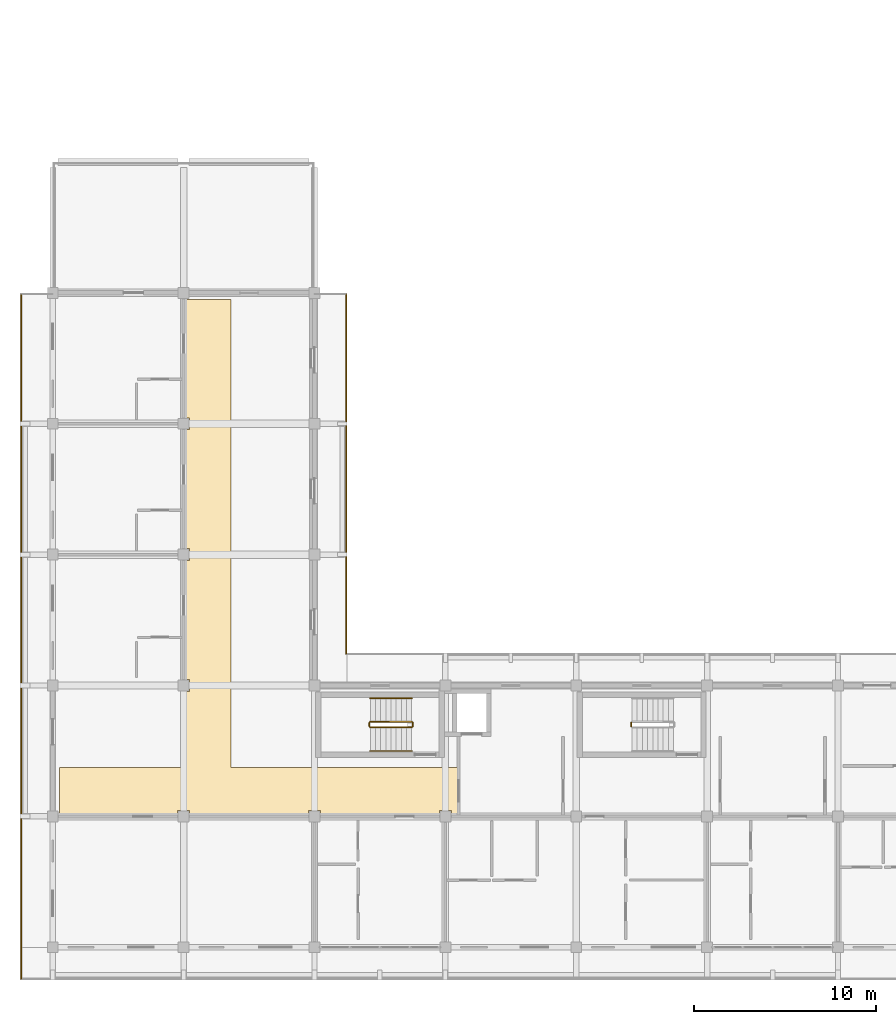
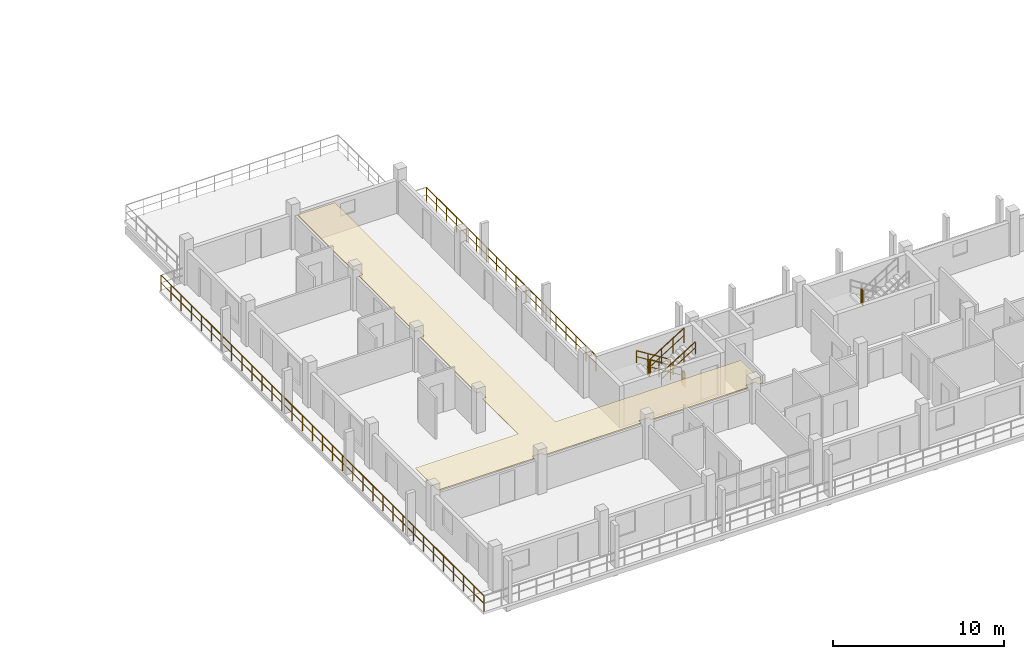
# One storey, part 64 of 78: 9 railings, 1 covering.
"""IFC4 building model written with IfcOpenShell, lengths in metres."""

import ifcopenshell
import ifcopenshell.guid

model = None  # the IFC model being written
_history = None  # IfcOwnerHistory: only IFC2X3 demands one
_inside = {}  # id of a spatial element -> (the spatial element, [elements in it])
_under = {}  # id of a project, library or spatial element -> (it, [spatial elements below it])
_declared = {}  # id of a project -> (the project, [libraries it declares])
_typed = {}  # id of a type object -> (the type object, [elements of that type])
_made_of = {}  # id of a material, layer set ... -> (it, [elements and type objects made of it])


def new_model(schema):
    """Start an empty IFC model of exactly this schema.

    Asked for "IFC4X3", IfcOpenShell would pick the latest addendum, in which some entities
    have other attributes; the version numbers below select the first issue.
    IFC2X3 requires an IfcOwnerHistory on every rooted entity: one is made here for all.
    """
    global model, _history
    if schema == "IFC4X3":
        model = ifcopenshell.file(schema_version=(4, 3, 0, 0))
    else:
        model = ifcopenshell.file(schema=schema)
    _inside.clear()
    _under.clear()
    _declared.clear()
    _typed.clear()
    _made_of.clear()
    _history = None
    if model.schema == "IFC2X3":
        org = make("IfcOrganization", Name="unknown")
        user = make(
            "IfcPersonAndOrganization",
            ThePerson=make("IfcPerson", FamilyName="unknown"),
            TheOrganization=org,
        )
        app = make(
            "IfcApplication",
            ApplicationDeveloper=org,
            Version="unknown",
            ApplicationFullName="unknown",
            ApplicationIdentifier="unknown",
        )
        _history = make(
            "IfcOwnerHistory",
            OwningUser=user,
            OwningApplication=app,
            ChangeAction="ADDED",
            CreationDate=0,
        )
    return model


def make(cls, **values):
    """One entity of the class cls with the attributes given. An attribute that is None is left unset."""
    return model.create_entity(
        cls, **{name: value for name, value in values.items() if value is not None}
    )


def rooted(cls, **values):
    """An entity with a GlobalId (a new one), such as an element, a storey or a relation."""
    return make(cls, GlobalId=ifcopenshell.guid.new(), OwnerHistory=_history, **values)


def si_unit(unit_type, name, prefix=None):
    """IfcSIUnit, for example si_unit("LENGTHUNIT", "METRE", prefix="MILLI")."""
    return make("IfcSIUnit", UnitType=unit_type, Prefix=prefix, Name=name)


def assignment(units):
    """IfcUnitAssignment: the units of a project."""
    return None if units is None else make("IfcUnitAssignment", Units=units)


def point(xyz):
    """IfcCartesianPoint."""
    return None if xyz is None else make("IfcCartesianPoint", Coordinates=xyz)


def direction(xyz):
    """IfcDirection."""
    return None if xyz is None else make("IfcDirection", DirectionRatios=xyz)


def frame(location, z_axis=None, x_axis=None):
    """IfcAxis2Placement3D, a coordinate frame: its origin and axes. An axis left out is left unset."""
    return make(
        "IfcAxis2Placement3D",
        Location=point(location),
        Axis=direction(z_axis),
        RefDirection=direction(x_axis),
    )


def frame_2d(location, x_axis=None):
    """IfcAxis2Placement2D, a coordinate frame in the plane: its origin and x axis."""
    return make(
        "IfcAxis2Placement2D", Location=point(location), RefDirection=direction(x_axis)
    )


def origin():
    """The frame at (0, 0, 0) with its axes left unset."""
    return frame((0.0, 0.0, 0.0))


def origin_2d():
    """The frame at (0, 0) in the plane with its x axis left unset."""
    return frame_2d((0.0, 0.0))


def place(relative_to, where):
    """IfcLocalPlacement: puts the frame where relative to a parent placement (None: the world)."""
    return make(
        "IfcLocalPlacement", PlacementRelTo=relative_to, RelativePlacement=where
    )


def context(
    kind, dimensions, precision=None, world=None, true_north=None, identifier=None
):
    """IfcGeometricRepresentationContext, for example the 3D "Model" context."""
    return make(
        "IfcGeometricRepresentationContext",
        ContextIdentifier=identifier,
        ContextType=kind,
        CoordinateSpaceDimension=dimensions,
        Precision=precision,
        WorldCoordinateSystem=world,
        TrueNorth=true_north,
    )


def subcontext(parent, identifier, kind, view, scale=None):
    """IfcGeometricRepresentationSubContext, for example "Body" below "Model"."""
    return make(
        "IfcGeometricRepresentationSubContext",
        ContextIdentifier=identifier,
        ContextType=kind,
        ParentContext=parent,
        TargetScale=scale,
        TargetView=view,
    )


def project(units=None, contexts=None):
    """IfcProject with its units and contexts."""
    return rooted(
        "IfcProject",
        Name="project",
        RepresentationContexts=contexts,
        UnitsInContext=assignment(units),
    )


def spatial(cls, under=None, at=None, **own):
    """A site, building, storey or space (cls), placed at a placement, below another one or the project."""
    s = rooted(cls, ObjectPlacement=at, **own)
    if under is not None:
        _under.setdefault(under.id(), (under, []))[1].append(s)
    return s


def polyline(points):
    """IfcPolyline through the points."""
    return make("IfcPolyline", Points=[point(p) for p in points])


def profile(cls, at=None, kind="AREA", **sizes):
    """A parametric profile (cls). Its sizes go by their IFC names, for example OverallWidth=200.0."""
    return make(cls, ProfileType=kind, Position=at, **sizes)


def rectangle(**sizes):
    """IfcRectangleProfileDef."""
    return profile("IfcRectangleProfileDef", **sizes)


def outline(outer, holes=None, kind="AREA"):
    """IfcArbitraryClosedProfileDef: a profile drawn as a closed curve; with holes, ...WithVoids."""
    if holes is None:
        return make("IfcArbitraryClosedProfileDef", ProfileType=kind, OuterCurve=outer)
    return make(
        "IfcArbitraryProfileDefWithVoids",
        ProfileType=kind,
        OuterCurve=outer,
        InnerCurves=holes,
    )


def extrude(swept, where, along, depth):
    """IfcExtrudedAreaSolid: the profile swept, set in the frame where, extruded along a direction by depth."""
    return make(
        "IfcExtrudedAreaSolid",
        SweptArea=swept,
        Position=where,
        ExtrudedDirection=direction(along),
        Depth=depth,
    )


def shape(context_of_items, identifier, shape_type, items):
    """IfcShapeRepresentation: the items that make up one representation, for example the "Body"."""
    return make(
        "IfcShapeRepresentation",
        ContextOfItems=context_of_items,
        RepresentationIdentifier=identifier,
        RepresentationType=shape_type,
        Items=items,
    )


def material(Name=None, Category=None):
    """IfcMaterial."""
    return make("IfcMaterial", Name=Name, Category=Category)


def layer(
    of_material, thickness, ventilated=None, Name=None, Category=None, Priority=None
):
    """IfcMaterialLayer: one layer of a wall or slab, of a material (None: an air gap)."""
    return make(
        "IfcMaterialLayer",
        Material=of_material,
        LayerThickness=thickness,
        IsVentilated=ventilated,
        Name=Name,
        Category=Category,
        Priority=Priority,
    )


def layer_set(layers, Name=None):
    """IfcMaterialLayerSet."""
    return make("IfcMaterialLayerSet", MaterialLayers=layers, LayerSetName=Name)


def made_of(thing, what):
    """Note that an element or type object is made of a material, layer set ...; save() writes the relation."""
    if what is not None:
        _made_of.setdefault(what.id(), (what, []))[1].append(thing)
    return thing


def type_object(cls, material=None, **own):
    """A type object (cls), such as IfcWallType, which elements share."""
    return made_of(rooted(cls, **own), material)


def element(
    cls,
    number,
    at=None,
    inside=None,
    cuts=None,
    type_object=None,
    material=None,
    context=None,
    identifier="Body",
    shape_type=None,
    held_by="IfcProductDefinitionShape",
    body=None,
    shapes=None,
    **own,
):
    """One element of the class cls, such as IfcWall. Its Tag is "e" and its number.

    at: its placement. inside: the storey or other place that contains it. cuts: it is an
    opening in that element (IfcRelVoidsElement). A single representation is given by context,
    identifier, shape_type and body (its items); several are given by shapes. held_by: the class
    of the entity that holds the representations. save() writes the other relations.
    """
    e = rooted(cls, Tag="e%d" % number, ObjectPlacement=at, **own)
    if body is not None:
        shapes = [shape(context, identifier, shape_type, body)]
    if shapes is not None:
        e.Representation = make(held_by, Representations=shapes)
    if inside is not None:
        _inside.setdefault(inside.id(), (inside, []))[1].append(e)
    if cuts is not None:
        rooted(
            "IfcRelVoidsElement", RelatingBuildingElement=cuts, RelatedOpeningElement=e
        )
    if type_object is not None:
        _typed.setdefault(type_object.id(), (type_object, []))[1].append(e)
    return made_of(e, material)


def aggregate(whole, parts):
    """IfcRelAggregates: a whole, such as a stair, and the parts it consists of."""
    return rooted("IfcRelAggregates", RelatingObject=whole, RelatedObjects=parts)


def save(model, path):
    """Write the relations noted so far, then the file.

    IfcRelAggregates (storeys below a building ...), IfcRelContainedInSpatialStructure (elements
    in a storey), IfcRelDefinesByType, IfcRelAssociatesMaterial and IfcRelDeclares: one each for
    every whole, place, type object, material and project.
    """
    for whole, parts in _under.values():
        aggregate(whole, parts)
    for where, things in _inside.values():
        rooted(
            "IfcRelContainedInSpatialStructure",
            RelatedElements=things,
            RelatingStructure=where,
        )
    for kind, things in _typed.values():
        rooted("IfcRelDefinesByType", RelatedObjects=things, RelatingType=kind)
    for what, things in _made_of.values():
        rooted("IfcRelAssociatesMaterial", RelatedObjects=things, RelatingMaterial=what)
    for by, libraries in _declared.values():
        rooted("IfcRelDeclares", RelatingContext=by, RelatedDefinitions=libraries)
    model.write(path)


model = new_model("IFC4")

# Units and contexts
model_context = context("Model", 3, precision=1e-05, world=origin(), true_north=direction((0.0, 1.0)))
body_context = subcontext(model_context, "Body", "Model", "MODEL_VIEW")
ifc_project = project(units=[si_unit("LENGTHUNIT", "METRE"), si_unit("AREAUNIT", "SQUARE_METRE"), si_unit("VOLUMEUNIT", "CUBIC_METRE"), si_unit("PLANEANGLEUNIT", "RADIAN"), si_unit("MASSUNIT", "GRAM", prefix="KILO")], contexts=[model_context])

# Site, building, storey
site_placement = place(None, origin())
site = spatial("IfcSite", under=ifc_project, at=site_placement, CompositionType="ELEMENT")
building_placement = place(site_placement, origin())
building = spatial("IfcBuilding", under=site, at=building_placement, Name="Suanplinth Sawtooth Commons", CompositionType="ELEMENT")
storey_placement = place(building_placement, frame((0.0, 0.0, 15.39990234375)))
storey = spatial("IfcBuildingStorey", under=building, at=storey_placement, Name="L04", CompositionType="ELEMENT", Elevation=15.39990234375)

# Covering
ifc_material_1 = material(Name="Mineral fibre acoustic tile")
ifc_layer = layer(ifc_material_1, 0.0400390625, Name="Perforated mineral-fibre acoustic suspended ceiling")
ifc_layer_set = layer_set([ifc_layer], Name="Mineral fibre acoustic tile")
covering_type = type_object("IfcCoveringType", Name="CV-CE01", PredefinedType="CEILING", material=ifc_layer_set)
covering_placement = place(storey_placement, frame((0.0, 0.0, 2.380126953125)))
element("IfcCovering", 1, at=covering_placement, inside=storey, type_object=covering_type, Name="L04 Block D Corridor Acoustic Ceiling", PredefinedType="CEILING", context=body_context, shape_type="SweptSolid", body=[
    extrude(outline(polyline([(0.360107421875, 9.89990234375), (7.280029296875, 9.89990234375), (7.280029296875, 14.070068359375), (7.530029296875, 14.070068359375), (7.530029296875, 14.72998046875), (7.280029296875, 14.72998046875), (7.280029296875, 21.27001953125), (7.530029296875, 21.27001953125), (7.530029296875, 21.929931640625), (7.280029296875, 21.929931640625), (7.280029296875, 28.469970703125), (7.530029296875, 28.469970703125), (7.530029296875, 29.1298828125), (7.280029296875, 29.1298828125), (7.280029296875, 35.639892578125), (9.800048828125, 35.639892578125), (9.800048828125, 9.89990234375), (22.280029296875, 9.89990234375), (22.280029296875, 7.280029296875), (21.929931640625, 7.280029296875), (21.929931640625, 7.530029296875), (21.27001953125, 7.530029296875), (21.27001953125, 7.280029296875), (14.72998046875, 7.280029296875), (14.72998046875, 7.530029296875), (14.070068359375, 7.530029296875), (14.070068359375, 7.280029296875), (7.530029296875, 7.280029296875), (7.530029296875, 7.530029296875), (6.8701171875, 7.530029296875), (6.8701171875, 7.280029296875), (0.360107421875, 7.280029296875), (0.360107421875, 9.89990234375)])), origin(), (0.0, 0.0, 1.0), 0.0400390625),
])

# Railings
ifc_material_2 = material(Name="Powder-coated galvanized steel", Category="steel")
railing_type_1 = type_object("IfcRailingType", Name="GR-01", PredefinedType="BALUSTRADE", material=ifc_material_2)
railing_1_placement = place(storey_placement, frame((-1.739990234375, -1.739990234375, 0.0)))
element("IfcRailing", 2, at=railing_1_placement, inside=storey, type_object=railing_type_1, Name="L04 Block D Perimeter Balustrade 1", PredefinedType="BALUSTRADE", context=body_context, shape_type="SweptSolid", body=[
    extrude(rectangle(XDim=0.048095703125, YDim=0.048095703125, at=origin_2d()), frame((0.0, 0.0, 1.09619140625), z_axis=(0.0, 1.0, 0.0), x_axis=(-1.0, 0.0, 0.0)), (0.0, 0.0, 1.0), 37.679931640625),
    extrude(rectangle(XDim=0.03369140625, YDim=0.03369140625, at=origin_2d()), frame((0.0, 0.0, 0.56005859375), z_axis=(0.0, 1.0, 0.0), x_axis=(-1.0, 0.0, 0.0)), (0.0, 0.0, 1.0), 37.679931640625),
    extrude(rectangle(XDim=0.0419921875, YDim=0.0419921875, at=origin_2d()), origin(), (0.0, 0.0, 1.0), 1.072021484375),
    extrude(rectangle(XDim=0.0419921875, YDim=0.0419921875, at=origin_2d()), frame((0.0, 1.177490234375, 0.0)), (0.0, 0.0, 1.0), 1.072021484375),
    extrude(rectangle(XDim=0.0419921875, YDim=0.0419921875, at=origin_2d()), frame((0.0, 2.35498046875, 0.0)), (0.0, 0.0, 1.0), 1.072021484375),
    extrude(rectangle(XDim=0.0419921875, YDim=0.0419921875, at=origin_2d()), frame((0.0, 3.532470703125, 0.0)), (0.0, 0.0, 1.0), 1.072021484375),
    extrude(rectangle(XDim=0.0419921875, YDim=0.0419921875, at=origin_2d()), frame((0.0, 4.7099609375, 0.0)), (0.0, 0.0, 1.0), 1.072021484375),
    extrude(rectangle(XDim=0.0419921875, YDim=0.0419921875, at=origin_2d()), frame((0.0, 5.887451171875, 0.0)), (0.0, 0.0, 1.0), 1.072021484375),
    extrude(rectangle(XDim=0.0419921875, YDim=0.0419921875, at=origin_2d()), frame((0.0, 7.06494140625, 0.0)), (0.0, 0.0, 1.0), 1.072021484375),
    extrude(rectangle(XDim=0.0419921875, YDim=0.0419921875, at=origin_2d()), frame((0.0, 8.242431640625, 0.0)), (0.0, 0.0, 1.0), 1.072021484375),
    extrude(rectangle(XDim=0.0419921875, YDim=0.0419921875, at=origin_2d()), frame((0.0, 9.419921875, 0.0)), (0.0, 0.0, 1.0), 1.072021484375),
    extrude(rectangle(XDim=0.0419921875, YDim=0.0419921875, at=origin_2d()), frame((0.0, 10.597412109375, 0.0)), (0.0, 0.0, 1.0), 1.072021484375),
    extrude(rectangle(XDim=0.0419921875, YDim=0.0419921875, at=origin_2d()), frame((0.0, 11.77490234375, 0.0)), (0.0, 0.0, 1.0), 1.072021484375),
    extrude(rectangle(XDim=0.0419921875, YDim=0.0419921875, at=origin_2d()), frame((0.0, 12.952392578125, 0.0)), (0.0, 0.0, 1.0), 1.072021484375),
    extrude(rectangle(XDim=0.0419921875, YDim=0.0419921875, at=origin_2d()), frame((0.0, 14.1298828125, 0.0)), (0.0, 0.0, 1.0), 1.072021484375),
    extrude(rectangle(XDim=0.0419921875, YDim=0.0419921875, at=origin_2d()), frame((0.0, 15.307373046875, 0.0)), (0.0, 0.0, 1.0), 1.072021484375),
    extrude(rectangle(XDim=0.0419921875, YDim=0.0419921875, at=origin_2d()), frame((0.0, 16.48486328125, 0.0)), (0.0, 0.0, 1.0), 1.072021484375),
    extrude(rectangle(XDim=0.0419921875, YDim=0.0419921875, at=origin_2d()), frame((0.0, 17.662353515625, 0.0)), (0.0, 0.0, 1.0), 1.072021484375),
    extrude(rectangle(XDim=0.0419921875, YDim=0.0419921875, at=origin_2d()), frame((0.0, 18.83984375, 0.0)), (0.0, 0.0, 1.0), 1.072021484375),
    extrude(rectangle(XDim=0.0419921875, YDim=0.0419921875, at=origin_2d()), frame((0.0, 20.017578125, 0.0)), (0.0, 0.0, 1.0), 1.072021484375),
    extrude(rectangle(XDim=0.0419921875, YDim=0.0419921875, at=origin_2d()), frame((0.0, 21.195068359375, 0.0)), (0.0, 0.0, 1.0), 1.072021484375),
    extrude(rectangle(XDim=0.0419921875, YDim=0.0419921875, at=origin_2d()), frame((0.0, 22.37255859375, 0.0)), (0.0, 0.0, 1.0), 1.072021484375),
    extrude(rectangle(XDim=0.0419921875, YDim=0.0419921875, at=origin_2d()), frame((0.0, 23.550048828125, 0.0)), (0.0, 0.0, 1.0), 1.072021484375),
    extrude(rectangle(XDim=0.0419921875, YDim=0.0419921875, at=origin_2d()), frame((0.0, 24.7275390625, 0.0)), (0.0, 0.0, 1.0), 1.072021484375),
    extrude(rectangle(XDim=0.0419921875, YDim=0.0419921875, at=origin_2d()), frame((0.0, 25.905029296875, 0.0)), (0.0, 0.0, 1.0), 1.072021484375),
    extrude(rectangle(XDim=0.0419921875, YDim=0.0419921875, at=origin_2d()), frame((0.0, 27.08251953125, 0.0)), (0.0, 0.0, 1.0), 1.072021484375),
    extrude(rectangle(XDim=0.0419921875, YDim=0.0419921875, at=origin_2d()), frame((0.0, 28.260009765625, 0.0)), (0.0, 0.0, 1.0), 1.072021484375),
    extrude(rectangle(XDim=0.0419921875, YDim=0.0419921875, at=origin_2d()), frame((0.0, 29.4375, 0.0)), (0.0, 0.0, 1.0), 1.072021484375),
    extrude(rectangle(XDim=0.0419921875, YDim=0.0419921875, at=origin_2d()), frame((0.0, 30.614990234375, 0.0)), (0.0, 0.0, 1.0), 1.072021484375),
    extrude(rectangle(XDim=0.0419921875, YDim=0.0419921875, at=origin_2d()), frame((0.0, 31.79248046875, 0.0)), (0.0, 0.0, 1.0), 1.072021484375),
    extrude(rectangle(XDim=0.0419921875, YDim=0.0419921875, at=origin_2d()), frame((0.0, 32.969970703125, 0.0)), (0.0, 0.0, 1.0), 1.072021484375),
    extrude(rectangle(XDim=0.0419921875, YDim=0.0419921875, at=origin_2d()), frame((0.0, 34.1474609375, 0.0)), (0.0, 0.0, 1.0), 1.072021484375),
    extrude(rectangle(XDim=0.0419921875, YDim=0.0419921875, at=origin_2d()), frame((0.0, 35.324951171875, 0.0)), (0.0, 0.0, 1.0), 1.072021484375),
    extrude(rectangle(XDim=0.0419921875, YDim=0.0419921875, at=origin_2d()), frame((0.0, 36.50244140625, 0.0)), (0.0, 0.0, 1.0), 1.072021484375),
    extrude(rectangle(XDim=0.0419921875, YDim=0.0419921875, at=origin_2d()), frame((0.0, 37.679931640625, 0.0)), (0.0, 0.0, 1.0), 1.072021484375),
])
railing_2_placement = place(storey_placement, frame((16.139892578125, 35.93994140625, 0.0)))
element("IfcRailing", 3, at=railing_2_placement, inside=storey, type_object=railing_type_1, Name="L04 Block D Perimeter Balustrade 7", PredefinedType="BALUSTRADE", context=body_context, shape_type="SweptSolid", body=[
    extrude(rectangle(XDim=0.048095703125, YDim=0.048095703125, at=origin_2d()), frame((0.0, 0.0, 1.09619140625), z_axis=(0.0, -1.0, 0.0), x_axis=(1.0, 0.0, 0.0)), (0.0, 0.0, 1.0), 19.800048828125),
    extrude(rectangle(XDim=0.03369140625, YDim=0.03369140625, at=origin_2d()), frame((0.0, 0.0, 0.56005859375), z_axis=(0.0, -1.0, 0.0), x_axis=(1.0, 0.0, 0.0)), (0.0, 0.0, 1.0), 19.800048828125),
    extrude(rectangle(XDim=0.0419921875, YDim=0.0419921875, at=origin_2d()), origin(), (0.0, 0.0, 1.0), 1.072021484375),
    extrude(rectangle(XDim=0.0419921875, YDim=0.0419921875, at=origin_2d()), frame((0.0, -1.164794921875, 0.0)), (0.0, 0.0, 1.0), 1.072021484375),
    extrude(rectangle(XDim=0.0419921875, YDim=0.0419921875, at=origin_2d()), frame((0.0, -2.329345703125, 0.0)), (0.0, 0.0, 1.0), 1.072021484375),
    extrude(rectangle(XDim=0.0419921875, YDim=0.0419921875, at=origin_2d()), frame((0.0, -3.494140625, 0.0)), (0.0, 0.0, 1.0), 1.072021484375),
    extrude(rectangle(XDim=0.0419921875, YDim=0.0419921875, at=origin_2d()), frame((0.0, -4.658935546875, 0.0)), (0.0, 0.0, 1.0), 1.072021484375),
    extrude(rectangle(XDim=0.0419921875, YDim=0.0419921875, at=origin_2d()), frame((0.0, -5.823486328125, 0.0)), (0.0, 0.0, 1.0), 1.072021484375),
    extrude(rectangle(XDim=0.0419921875, YDim=0.0419921875, at=origin_2d()), frame((0.0, -6.98828125, 0.0)), (0.0, 0.0, 1.0), 1.072021484375),
    extrude(rectangle(XDim=0.0419921875, YDim=0.0419921875, at=origin_2d()), frame((0.0, -8.153076171875, 0.0)), (0.0, 0.0, 1.0), 1.072021484375),
    extrude(rectangle(XDim=0.0419921875, YDim=0.0419921875, at=origin_2d()), frame((0.0, -9.317626953125, 0.0)), (0.0, 0.0, 1.0), 1.072021484375),
    extrude(rectangle(XDim=0.0419921875, YDim=0.0419921875, at=origin_2d()), frame((0.0, -10.482421875, 0.0)), (0.0, 0.0, 1.0), 1.072021484375),
    extrude(rectangle(XDim=0.0419921875, YDim=0.0419921875, at=origin_2d()), frame((0.0, -11.64697265625, 0.0)), (0.0, 0.0, 1.0), 1.072021484375),
    extrude(rectangle(XDim=0.0419921875, YDim=0.0419921875, at=origin_2d()), frame((0.0, -12.811767578125, 0.0)), (0.0, 0.0, 1.0), 1.072021484375),
    extrude(rectangle(XDim=0.0419921875, YDim=0.0419921875, at=origin_2d()), frame((0.0, -13.9765625, 0.0)), (0.0, 0.0, 1.0), 1.072021484375),
    extrude(rectangle(XDim=0.0419921875, YDim=0.0419921875, at=origin_2d()), frame((0.0, -15.14111328125, 0.0)), (0.0, 0.0, 1.0), 1.072021484375),
    extrude(rectangle(XDim=0.0419921875, YDim=0.0419921875, at=origin_2d()), frame((0.0, -16.305908203125, 0.0)), (0.0, 0.0, 1.0), 1.072021484375),
    extrude(rectangle(XDim=0.0419921875, YDim=0.0419921875, at=origin_2d()), frame((0.0, -17.470703125, 0.0)), (0.0, 0.0, 1.0), 1.072021484375),
    extrude(rectangle(XDim=0.0419921875, YDim=0.0419921875, at=origin_2d()), frame((0.0, -18.63525390625, 0.0)), (0.0, 0.0, 1.0), 1.072021484375),
    extrude(rectangle(XDim=0.0419921875, YDim=0.0419921875, at=origin_2d()), frame((0.0, -19.800048828125, 0.0)), (0.0, 0.0, 1.0), 1.072021484375),
])
ifc_material_3 = material(Name="Stainless steel Grade 304", Category="steel")
railing_type_2 = type_object("IfcRailingType", Name="GR-04", PredefinedType="GUARDRAIL", material=ifc_material_3)
railing_3_placement = place(storey_placement, frame((19.75, 12.39990234375, 0.177978515625)))
element("IfcRailing", 4, at=railing_3_placement, inside=storey, type_object=railing_type_2, Name="L04 ST-W1 Guard 1", PredefinedType="GUARDRAIL", context=body_context, shape_type="SweptSolid", body=[
    extrude(rectangle(XDim=0.048095703125, YDim=0.048095703125, at=origin_2d()), frame((0.0, 0.0, 1.076171875), z_axis=(-0.848482842525, 0.0, 0.529222888715), x_axis=(0.0, -1.0, 0.0)), (0.0, 0.0, 1.0), 2.687255859375),
    extrude(rectangle(XDim=0.03369140625, YDim=0.03369140625, at=origin_2d()), frame((0.0, 0.0, 0.550048828125), z_axis=(-0.848482842525, 0.0, 0.529222888715), x_axis=(0.0, -1.0, 0.0)), (0.0, 0.0, 1.0), 2.687255859375),
    extrude(rectangle(XDim=0.0419921875, YDim=0.0419921875, at=origin_2d()), origin(), (0.0, 0.0, 1.0), 1.052001953125),
    extrude(rectangle(XDim=0.0419921875, YDim=0.0419921875, at=origin_2d()), frame((-0.760009765625, 0.0, 0.47412109375)), (0.0, 0.0, 1.0), 1.052001953125),
    extrude(rectangle(XDim=0.0419921875, YDim=0.0419921875, at=origin_2d()), frame((-1.52001953125, 0.0, 0.947998046875)), (0.0, 0.0, 1.0), 1.052001953125),
    extrude(rectangle(XDim=0.0419921875, YDim=0.0419921875, at=origin_2d()), frame((-2.280029296875, 0.0, 1.422119140625)), (0.0, 0.0, 1.0), 1.052001953125),
])
railing_4_placement = place(storey_placement, frame((17.419921875, 12.35009765625, 1.60009765625)))
element("IfcRailing", 5, at=railing_4_placement, inside=storey, type_object=railing_type_2, Name="L04 ST-W1 Guard 2", PredefinedType="GUARDRAIL", context=body_context, shape_type="SweptSolid", body=[
    extrude(rectangle(XDim=0.048095703125, YDim=0.048095703125, at=origin_2d()), frame((0.0, 0.0, 1.076171875), z_axis=(0.0, -1.0, 0.0), x_axis=(1.0, 0.0, 0.0)), (0.0, 0.0, 1.0), 0.2001953125),
    extrude(rectangle(XDim=0.03369140625, YDim=0.03369140625, at=origin_2d()), frame((0.0, 0.0, 0.550048828125), z_axis=(0.0, -1.0, 0.0), x_axis=(1.0, 0.0, 0.0)), (0.0, 0.0, 1.0), 0.2001953125),
    extrude(rectangle(XDim=0.0419921875, YDim=0.0419921875, at=origin_2d()), origin(), (0.0, 0.0, 1.0), 1.052001953125),
    extrude(rectangle(XDim=0.0419921875, YDim=0.0419921875, at=origin_2d()), frame((0.0, -0.2001953125, 0.0)), (0.0, 0.0, 1.0), 1.052001953125),
])
railing_5_placement = place(storey_placement, frame((17.469970703125, 12.10009765625, 1.77783203125)))
element("IfcRailing", 6, at=railing_5_placement, inside=storey, type_object=railing_type_2, Name="L04 ST-W1 Guard 3", PredefinedType="GUARDRAIL", context=body_context, shape_type="SweptSolid", body=[
    extrude(rectangle(XDim=0.048095703125, YDim=0.048095703125, at=origin_2d()), frame((0.0, 0.0, 1.076171875), z_axis=(0.848442045328, 0.0, 0.529288291689), x_axis=(0.0, 1.0, 0.0)), (0.0, 0.0, 1.0), 2.687255859375),
    extrude(rectangle(XDim=0.03369140625, YDim=0.03369140625, at=origin_2d()), frame((0.0, 0.0, 0.550048828125), z_axis=(0.848442045328, 0.0, 0.529288291689), x_axis=(0.0, 1.0, 0.0)), (0.0, 0.0, 1.0), 2.687255859375),
    extrude(rectangle(XDim=0.0419921875, YDim=0.0419921875, at=origin_2d()), origin(), (0.0, 0.0, 1.0), 1.052001953125),
    extrude(rectangle(XDim=0.0419921875, YDim=0.0419921875, at=origin_2d()), frame((0.760009765625, 0.0, 0.47412109375)), (0.0, 0.0, 1.0), 1.052001953125),
    extrude(rectangle(XDim=0.0419921875, YDim=0.0419921875, at=origin_2d()), frame((1.52001953125, 0.0, 0.9482421875)), (0.0, 0.0, 1.0), 1.052001953125),
    extrude(rectangle(XDim=0.0419921875, YDim=0.0419921875, at=origin_2d()), frame((2.280029296875, 0.0, 1.42236328125)), (0.0, 0.0, 1.0), 1.052001953125),
])
for number, where, name in (
    (7, (19.800048828125, 12.35009765625, 0.0), "L04 ST-W1 Guard 4"),
    (8, (31.820068359375, 12.35009765625, 1.60009765625), "L04 ST-W2 Guard 2"),
):
    element("IfcRailing", number, at=place(storey_placement, frame(where)), inside=storey, type_object=railing_type_2, Name=name, PredefinedType="GUARDRAIL", context=body_context, shape_type="SweptSolid", body=[
        extrude(rectangle(XDim=0.048095703125, YDim=0.048095703125, at=origin_2d()), frame((0.0, 0.0, 1.076171875), z_axis=(0.0, -1.0, 0.0), x_axis=(1.0, 0.0, 0.0)), (0.0, 0.0, 1.0), 0.2001953125),
        extrude(rectangle(XDim=0.03369140625, YDim=0.03369140625, at=origin_2d()), frame((0.0, 0.0, 0.550048828125), z_axis=(0.0, -1.0, 0.0), x_axis=(1.0, 0.0, 0.0)), (0.0, 0.0, 1.0), 0.2001953125),
        extrude(rectangle(XDim=0.0419921875, YDim=0.0419921875, at=origin_2d()), origin(), (0.0, 0.0, 1.0), 1.052001953125),
        extrude(rectangle(XDim=0.0419921875, YDim=0.0419921875, at=origin_2d()), frame((0.0, -0.2001953125, 0.0)), (0.0, 0.0, 1.0), 1.052001953125),
    ])
railing_type_3 = type_object("IfcRailingType", Name="HR-01", PredefinedType="HANDRAIL", material=ifc_material_3)
railing_6_placement = place(storey_placement, frame((19.75, 13.699951171875, 0.177978515625)))
element("IfcRailing", 9, at=railing_6_placement, inside=storey, type_object=railing_type_3, Name="L04 ST-W1 Handrail 1", PredefinedType="HANDRAIL", context=body_context, shape_type="SweptSolid", body=[
    extrude(rectangle(XDim=0.048095703125, YDim=0.048095703125, at=origin_2d()), frame((0.0, 0.0, 0.8759765625), z_axis=(-0.848482842525, 0.0, 0.529222888715), x_axis=(0.0, -1.0, 0.0)), (0.0, 0.0, 1.0), 2.687255859375),
    extrude(rectangle(XDim=0.03369140625, YDim=0.03369140625, at=origin_2d()), frame((0.0, 0.0, 0.449951171875), z_axis=(-0.848482842525, 0.0, 0.529222888715), x_axis=(0.0, -1.0, 0.0)), (0.0, 0.0, 1.0), 2.687255859375),
    extrude(rectangle(XDim=0.0419921875, YDim=0.0419921875, at=origin_2d()), origin(), (0.0, 0.0, 1.0), 0.851806640625),
    extrude(rectangle(XDim=0.0419921875, YDim=0.0419921875, at=origin_2d()), frame((-0.760009765625, 0.0, 0.47412109375)), (0.0, 0.0, 1.0), 0.851806640625),
    extrude(rectangle(XDim=0.0419921875, YDim=0.0419921875, at=origin_2d()), frame((-1.52001953125, 0.0, 0.947998046875)), (0.0, 0.0, 1.0), 0.851806640625),
    extrude(rectangle(XDim=0.0419921875, YDim=0.0419921875, at=origin_2d()), frame((-2.280029296875, 0.0, 1.422119140625)), (0.0, 0.0, 1.0), 0.851806640625),
])
railing_7_placement = place(storey_placement, frame((17.469970703125, 10.800048828125, 1.77783203125)))
element("IfcRailing", 10, at=railing_7_placement, inside=storey, type_object=railing_type_3, Name="L04 ST-W1 Handrail 2", PredefinedType="HANDRAIL", context=body_context, shape_type="SweptSolid", body=[
    extrude(rectangle(XDim=0.048095703125, YDim=0.048095703125, at=origin_2d()), frame((0.0, 0.0, 0.8759765625), z_axis=(0.848442045328, 0.0, 0.529288291689), x_axis=(0.0, 1.0, 0.0)), (0.0, 0.0, 1.0), 2.687255859375),
    extrude(rectangle(XDim=0.03369140625, YDim=0.03369140625, at=origin_2d()), frame((0.0, 0.0, 0.449951171875), z_axis=(0.848442045328, 0.0, 0.529288291689), x_axis=(0.0, 1.0, 0.0)), (0.0, 0.0, 1.0), 2.687255859375),
    extrude(rectangle(XDim=0.0419921875, YDim=0.0419921875, at=origin_2d()), origin(), (0.0, 0.0, 1.0), 0.851806640625),
    extrude(rectangle(XDim=0.0419921875, YDim=0.0419921875, at=origin_2d()), frame((0.760009765625, 0.0, 0.47412109375)), (0.0, 0.0, 1.0), 0.851806640625),
    extrude(rectangle(XDim=0.0419921875, YDim=0.0419921875, at=origin_2d()), frame((1.52001953125, 0.0, 0.9482421875)), (0.0, 0.0, 1.0), 0.851806640625),
    extrude(rectangle(XDim=0.0419921875, YDim=0.0419921875, at=origin_2d()), frame((2.280029296875, 0.0, 1.42236328125)), (0.0, 0.0, 1.0), 0.851806640625),
])

save(model, "model.ifc")
